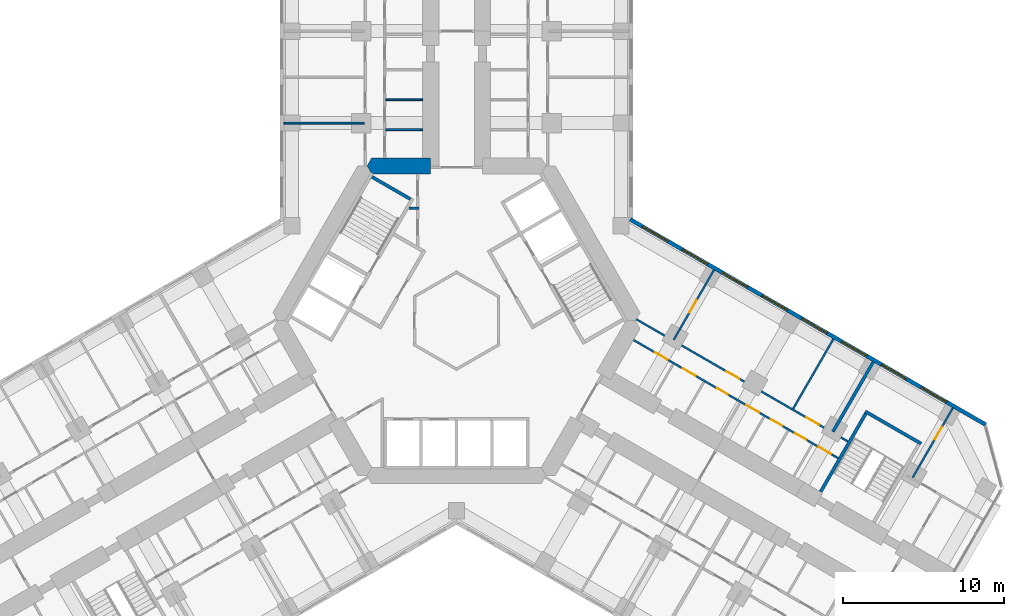
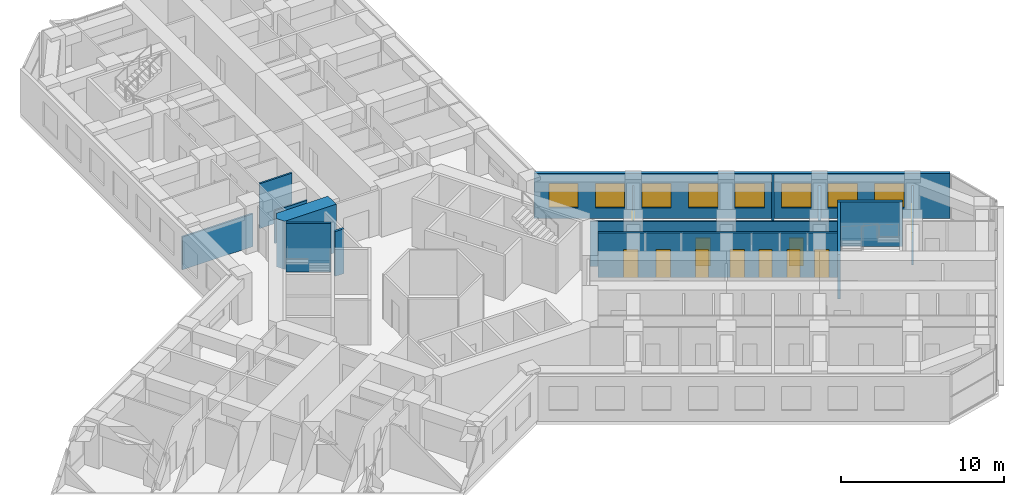
# One storey, part 16 of 21: 15 walls, 11 doors, 8 windows, 19 openings.
"""IFC4 building model written with IfcOpenShell, lengths in metres."""

from ifc_helpers import new_model, si_unit, direction, frame, frame_2d, origin, place, context, subcontext, project, spatial, polyline, rectangle, outline, extrude, material, layer, layer_set, type_object, element, fill, save


model = new_model("IFC4")

# Units and contexts
model_context = context("Model", 3, precision=1e-05, world=origin(), true_north=direction((0.0, 1.0)))
body_context = subcontext(model_context, "Body", "Model", "MODEL_VIEW")
ifc_project = project(units=[si_unit("LENGTHUNIT", "METRE"), si_unit("AREAUNIT", "SQUARE_METRE"), si_unit("VOLUMEUNIT", "CUBIC_METRE"), si_unit("PLANEANGLEUNIT", "RADIAN"), si_unit("MASSUNIT", "GRAM", prefix="KILO")], contexts=[model_context])

# Site, building, storey
site_placement = place(None, origin())
site = spatial("IfcSite", under=ifc_project, at=site_placement, CompositionType="ELEMENT")
building_placement = place(site_placement, origin())
building = spatial("IfcBuilding", under=site, at=building_placement, Name="Kosmar Iwan School Tower", CompositionType="ELEMENT")
storey_placement = place(building_placement, frame((0.0, 0.0, 53.800048828125)))
storey = spatial("IfcBuildingStorey", under=building, at=storey_placement, Name="L12", CompositionType="ELEMENT", Elevation=53.800048828125)

# Walls
ifc_material_1 = material(Name="Gypsum board on steel studs, fire-rated", Category="steel")
ifc_layer_1 = layer(ifc_material_1, 0.14990234375)
ifc_layer_set_1 = layer_set([ifc_layer_1], Name="Core room partition 150")
wall_type_1 = type_object("IfcWallType", Name="Core room partition 150", PredefinedType="PARTITIONING", material=ifc_layer_set_1)
wall_1_placement = place(storey_placement, frame((-2.324951171875, 6.985107421875, 0.0), z_axis=(0.0, 0.0, 1.0), x_axis=(-1.0, 0.0, 0.0)))
element("IfcWall", 1, at=wall_1_placement, inside=storey, type_object=wall_type_1, Name="Core room partition L12-CW2", PredefinedType="PARTITIONING", context=body_context, shape_type="SweptSolid", body=[
    extrude(rectangle(XDim=0.623779296875, YDim=0.14990234375, at=frame_2d((0.31201171875, 0.0))), origin(), (0.0, 0.0, 1.0), 3.349853515625),
])
ifc_material_2 = material(Name="Concrete C50/60", Category="concrete")
ifc_layer_2 = layer(ifc_material_2, 1.0)
ifc_layer_set_2 = layer_set([ifc_layer_2], Name="Core wall 1000")
wall_type_2 = type_object("IfcWallType", Name="Core wall 1000", PredefinedType="SHEAR", material=ifc_layer_set_2)
wall_2_placement = place(storey_placement, origin())
element("IfcWall", 2, at=wall_2_placement, inside=storey, type_object=wall_type_2, Name="Core wall F090b", PredefinedType="SHEAR", context=body_context, shape_type="SweptSolid", body=[
    extrude(outline(polyline([(-5.25390625, 9.10009765625), (-1.60009765625, 9.10009765625), (-1.60009765625, 10.10009765625), (-5.25390625, 10.10009765625), (-5.54248046875, 9.60009765625), (-5.25390625, 9.10009765625)])), origin(), (0.0, 0.0, 1.0), 3.599853515625),
])
ifc_material_3 = material(Name="Gypsum board on steel studs", Category="steel")
ifc_layer_3 = layer(ifc_material_3, 0.1201171875)
ifc_layer_set_3 = layer_set([ifc_layer_3], Name="Dwelling partition 120")
wall_type_3 = type_object("IfcWallType", Name="Dwelling partition 120", PredefinedType="PARTITIONING", material=ifc_layer_set_3)
wall_3_placement = place(storey_placement, frame((-5.7099609375, 12.25, 0.0), z_axis=(0.0, 0.0, 1.0), x_axis=(-1.0, 0.0, 0.0)))
element("IfcWall", 3, at=wall_3_placement, inside=storey, type_object=wall_type_3, Name="Partition L12-AL1-X1", PredefinedType="PARTITIONING", context=body_context, shape_type="SweptSolid", body=[
    extrude(rectangle(XDim=4.989990234375, YDim=0.1201171875, at=frame_2d((2.4951171875, 0.0))), origin(), (0.0, 0.0, 1.0), 2.449951171875),
])
wall_4_placement = place(storey_placement, frame((-2.10009765625, 11.85009765625, 0.0), z_axis=(0.0, 0.0, 1.0), x_axis=(-1.0, 0.0, 0.0)))
element("IfcWall", 4, at=wall_4_placement, inside=storey, type_object=wall_type_3, Name="Partition L12-AL1-Y1", PredefinedType="PARTITIONING", context=body_context, shape_type="SweptSolid", body=[
    extrude(rectangle(XDim=2.289794921875, YDim=0.1201171875, at=frame_2d((1.14501953125, 0.0))), origin(), (0.0, 0.0, 1.0), 2.449951171875),
])
wall_5_placement = place(storey_placement, frame((-2.10009765625, 13.699951171875, 0.0), z_axis=(0.0, 0.0, 1.0), x_axis=(-1.0, 0.0, 0.0)))
element("IfcWall", 5, at=wall_5_placement, inside=storey, type_object=wall_type_3, Name="Partition L12-AL1-Y2", PredefinedType="PARTITIONING", context=body_context, shape_type="SweptSolid", body=[
    extrude(rectangle(XDim=2.289794921875, YDim=0.1201171875, at=frame_2d((1.14501953125, 0.0))), origin(), (0.0, 0.0, 1.0), 3.349853515625),
])

# Wall, openings, doors
wall_6_placement = place(storey_placement, frame((10.971923828125, -1.1962890625, 0.0), z_axis=(0.0, 0.0, 1.0), x_axis=(0.866026568746, -0.499997982221, 0.0)))
wall_6 = element("IfcWall", 6, at=wall_6_placement, inside=storey, type_object=wall_type_3, Name="Partition L12-CL1-W1", PredefinedType="PARTITIONING", context=body_context, shape_type="SweptSolid", body=[
    extrude(rectangle(XDim=14.64990234375, YDim=0.1201171875, at=frame_2d((7.324951171875, 0.0))), origin(), (0.0, 0.0, 1.0), 3.349853515625),
])
opening_1_placement = place(wall_6_placement, frame((1.5400390625, 0.0, 0.0)))
opening_1 = element("IfcOpeningElement", 7, at=opening_1_placement, cuts=wall_6, Name="Opening D2", PredefinedType="OPENING", context=body_context, shape_type="SweptSolid", body=[
    extrude(rectangle(XDim=0.89990234375, YDim=2.10009765625, at=frame_2d((0.449951171875, 1.050048828125))), frame((0.0, 0.072021484375, 0.0), z_axis=(0.0, -1.0, 0.0), x_axis=(1.0, 0.0, 0.0)), (0.0, 0.0, 1.0), 0.14404296875),
])
opening_2_placement = place(wall_6_placement, frame((3.530029296875, 0.0, 0.0)))
opening_2 = element("IfcOpeningElement", 8, at=opening_2_placement, cuts=wall_6, Name="Opening D2", PredefinedType="OPENING", context=body_context, shape_type="SweptSolid", body=[
    extrude(rectangle(XDim=0.89990234375, YDim=2.10009765625, at=frame_2d((0.449951171875, 1.050048828125))), frame((0.0, 0.072021484375, 0.0), z_axis=(0.0, -1.0, 0.0), x_axis=(1.0, 0.0, 0.0)), (0.0, 0.0, 1.0), 0.14404296875),
])
opening_3_placement = place(wall_6_placement, frame((5.971435546875, 0.0, 0.0)))
opening_3 = element("IfcOpeningElement", 9, at=opening_3_placement, cuts=wall_6, Name="Opening D3", PredefinedType="OPENING", context=body_context, shape_type="SweptSolid", body=[
    extrude(rectangle(XDim=0.800048828125, YDim=2.10009765625, at=frame_2d((0.39990234375, 1.050048828125))), frame((0.0, 0.072021484375, 0.0), z_axis=(0.0, -1.0, 0.0), x_axis=(1.0, 0.0, 0.0)), (0.0, 0.0, 1.0), 0.14404296875),
])
opening_4_placement = place(wall_6_placement, frame((8.07373046875, 0.0, 0.0)))
opening_4 = element("IfcOpeningElement", 10, at=opening_4_placement, cuts=wall_6, Name="Opening D2", PredefinedType="OPENING", context=body_context, shape_type="SweptSolid", body=[
    extrude(rectangle(XDim=0.89990234375, YDim=2.10009765625, at=frame_2d((0.449951171875, 1.050048828125))), frame((0.0, 0.072021484375, 0.0), z_axis=(0.0, -1.0, 0.0), x_axis=(1.0, 0.0, 0.0)), (0.0, 0.0, 1.0), 0.14404296875),
])
opening_5_placement = place(wall_6_placement, frame((9.845458984375, 0.0, 0.0)))
opening_5 = element("IfcOpeningElement", 11, at=opening_5_placement, cuts=wall_6, Name="Opening D3", PredefinedType="OPENING", context=body_context, shape_type="SweptSolid", body=[
    extrude(rectangle(XDim=0.800048828125, YDim=2.10009765625, at=frame_2d((0.39990234375, 1.050048828125))), frame((0.0, 0.072021484375, 0.0), z_axis=(0.0, -1.0, 0.0), x_axis=(1.0, 0.0, 0.0)), (0.0, 0.0, 1.0), 0.14404296875),
])
opening_6_placement = place(wall_6_placement, frame((11.5673828125, 0.0, 0.0)))
opening_6 = element("IfcOpeningElement", 12, at=opening_6_placement, cuts=wall_6, Name="Opening D3", PredefinedType="OPENING", context=body_context, shape_type="SweptSolid", body=[
    extrude(rectangle(XDim=0.800048828125, YDim=2.10009765625, at=frame_2d((0.39990234375, 1.050048828125))), frame((0.0, 0.072021484375, 0.0), z_axis=(0.0, -1.0, 0.0), x_axis=(1.0, 0.0, 0.0)), (0.0, 0.0, 1.0), 0.14404296875),
])
opening_7_placement = place(wall_6_placement, frame((13.239013671875, 0.0, 0.0)))
opening_7 = element("IfcOpeningElement", 13, at=opening_7_placement, cuts=wall_6, Name="Opening D2", PredefinedType="OPENING", context=body_context, shape_type="SweptSolid", body=[
    extrude(rectangle(XDim=0.89990234375, YDim=2.10009765625, at=frame_2d((0.449951171875, 1.050048828125))), frame((0.0, 0.072021484375, 0.0), z_axis=(0.0, -1.0, 0.0), x_axis=(1.0, 0.0, 0.0)), (0.0, 0.0, 1.0), 0.14404296875),
])
ifc_material_4 = material(Name="Timber door in timber frame", Category="wood")
door_type_1 = type_object("IfcDoorType", Name="Internal door 900x2100", OperationType="SINGLE_SWING_LEFT", PredefinedType="DOOR", material=ifc_material_4)
door_1_placement = place(opening_1_placement, frame((0.89990234375, 0.0, 0.0), z_axis=(0.0, 0.0, 1.0), x_axis=(-1.0, 0.0, 0.0)))
door_1 = element("IfcDoor", 14, at=door_1_placement, inside=storey, type_object=door_type_1, Name="Utility room door L12-CL1-S1", OperationType="SINGLE_SWING_RIGHT", OverallHeight=2.10009765625, OverallWidth=0.89990234375, PredefinedType="DOOR", context=body_context, shape_type="SweptSolid", body=[
    extrude(rectangle(XDim=0.89990234375, YDim=2.10009765625, at=frame_2d((0.449951171875, 1.050048828125))), frame((0.0, 0.02490234375, 0.0), z_axis=(0.0, -1.0, 0.0), x_axis=(1.0, 0.0, 0.0)), (0.0, 0.0, 1.0), 0.050048828125),
])
fill(opening_1, door_1)
door_2_placement = place(opening_2_placement, origin())
door_2 = element("IfcDoor", 15, at=door_2_placement, inside=storey, type_object=door_type_1, Name="Entrance hall door L12-CL1-S2", OperationType="SINGLE_SWING_LEFT", OverallHeight=2.10009765625, OverallWidth=0.89990234375, PredefinedType="DOOR", context=body_context, shape_type="SweptSolid", body=[
    extrude(rectangle(XDim=0.89990234375, YDim=2.10009765625, at=frame_2d((0.449951171875, 1.050048828125))), frame((0.0, 0.02490234375, 0.0), z_axis=(0.0, -1.0, 0.0), x_axis=(1.0, 0.0, 0.0)), (0.0, 0.0, 1.0), 0.050048828125),
])
fill(opening_2, door_2)
door_3_placement = place(opening_4_placement, origin())
door_3 = element("IfcDoor", 16, at=door_3_placement, inside=storey, type_object=door_type_1, Name="Pantry door L12-CL1-S4", OperationType="SINGLE_SWING_RIGHT", OverallHeight=2.10009765625, OverallWidth=0.89990234375, PredefinedType="DOOR", context=body_context, shape_type="SweptSolid", body=[
    extrude(rectangle(XDim=0.89990234375, YDim=2.10009765625, at=frame_2d((0.449951171875, 1.050048828125))), frame((0.0, 0.02490234375, 0.0), z_axis=(0.0, -1.0, 0.0), x_axis=(1.0, 0.0, 0.0)), (0.0, 0.0, 1.0), 0.050048828125),
])
fill(opening_4, door_3)
door_4_placement = place(opening_7_placement, frame((0.89990234375, 0.0, 0.0), z_axis=(0.0, 0.0, 1.0), x_axis=(-1.0, 0.0, 0.0)))
door_4 = element("IfcDoor", 17, at=door_4_placement, inside=storey, type_object=door_type_1, Name="Dressing room door L12-CL1-S7", OperationType="SINGLE_SWING_LEFT", OverallHeight=2.10009765625, OverallWidth=0.89990234375, PredefinedType="DOOR", context=body_context, shape_type="SweptSolid", body=[
    extrude(rectangle(XDim=0.89990234375, YDim=2.10009765625, at=frame_2d((0.449951171875, 1.050048828125))), frame((0.0, 0.02490234375, 0.0), z_axis=(0.0, -1.0, 0.0), x_axis=(1.0, 0.0, 0.0)), (0.0, 0.0, 1.0), 0.050048828125),
])
fill(opening_7, door_4)
ifc_material_5 = material(Name="Timber door in timber frame", Category="wood")
door_type_2 = type_object("IfcDoorType", Name="Sanitary room door 800x2100", OperationType="SINGLE_SWING_LEFT", PredefinedType="DOOR", material=ifc_material_5)
door_5_placement = place(opening_3_placement, origin())
door_5 = element("IfcDoor", 18, at=door_5_placement, inside=storey, type_object=door_type_2, Name="Bathroom door L12-CL1-S3", OperationType="SINGLE_SWING_LEFT", OverallHeight=2.10009765625, OverallWidth=0.800048828125, PredefinedType="DOOR", context=body_context, shape_type="SweptSolid", body=[
    extrude(rectangle(XDim=0.800048828125, YDim=2.10009765625, at=frame_2d((0.39990234375, 1.050048828125))), frame((0.0, 0.02490234375, 0.0), z_axis=(0.0, -1.0, 0.0), x_axis=(1.0, 0.0, 0.0)), (0.0, 0.0, 1.0), 0.050048828125),
])
fill(opening_3, door_5)
door_6_placement = place(opening_5_placement, origin())
door_6 = element("IfcDoor", 19, at=door_6_placement, inside=storey, type_object=door_type_2, Name="WC door L12-CL1-S5", OperationType="SINGLE_SWING_RIGHT", OverallHeight=2.10009765625, OverallWidth=0.800048828125, PredefinedType="DOOR", context=body_context, shape_type="SweptSolid", body=[
    extrude(rectangle(XDim=0.800048828125, YDim=2.10009765625, at=frame_2d((0.39990234375, 1.050048828125))), frame((0.0, 0.02490234375, 0.0), z_axis=(0.0, -1.0, 0.0), x_axis=(1.0, 0.0, 0.0)), (0.0, 0.0, 1.0), 0.050048828125),
])
fill(opening_5, door_6)
door_7_placement = place(opening_6_placement, origin())
door_7 = element("IfcDoor", 20, at=door_7_placement, inside=storey, type_object=door_type_2, Name="Store door L12-CL1-S6", OperationType="SINGLE_SWING_RIGHT", OverallHeight=2.10009765625, OverallWidth=0.800048828125, PredefinedType="DOOR", context=body_context, shape_type="SweptSolid", body=[
    extrude(rectangle(XDim=0.800048828125, YDim=2.10009765625, at=frame_2d((0.39990234375, 1.050048828125))), frame((0.0, 0.02490234375, 0.0), z_axis=(0.0, -1.0, 0.0), x_axis=(1.0, 0.0, 0.0)), (0.0, 0.0, 1.0), 0.050048828125),
])
fill(opening_6, door_7)

wall_7_placement = place(storey_placement, frame((11.138916015625, 0.093017578125, 0.0), z_axis=(0.0, 0.0, 1.0), x_axis=(0.866024032363, -0.500002375365, 0.0)))
wall_7 = element("IfcWall", 21, at=wall_7_placement, inside=storey, type_object=wall_type_3, Name="Partition L12-CL1-W2", PredefinedType="PARTITIONING", context=body_context, shape_type="SweptSolid", body=[
    extrude(rectangle(XDim=15.14990234375, YDim=0.1201171875, at=frame_2d((7.574951171875, 0.0))), origin(), (0.0, 0.0, 1.0), 3.349853515625),
])
opening_8_placement = place(wall_7_placement, frame((6.47509765625, 0.0, 0.0)))
opening_8 = element("IfcOpeningElement", 22, at=opening_8_placement, cuts=wall_7, Name="Opening D2", PredefinedType="OPENING", context=body_context, shape_type="SweptSolid", body=[
    extrude(rectangle(XDim=0.89990234375, YDim=2.10009765625, at=frame_2d((0.449951171875, 1.050048828125))), frame((0.0, 0.072021484375, 0.0), z_axis=(0.0, -1.0, 0.0), x_axis=(1.0, 0.0, 0.0)), (0.0, 0.0, 1.0), 0.14404296875),
])
opening_9_placement = place(wall_7_placement, frame((12.175048828125, 0.0, 0.0)))
opening_9 = element("IfcOpeningElement", 23, at=opening_9_placement, cuts=wall_7, Name="Opening D2", PredefinedType="OPENING", context=body_context, shape_type="SweptSolid", body=[
    extrude(rectangle(XDim=0.89990234375, YDim=2.10009765625, at=frame_2d((0.449951171875, 1.050048828125))), frame((0.0, 0.072021484375, 0.0), z_axis=(0.0, -1.0, 0.0), x_axis=(1.0, 0.0, 0.0)), (0.0, 0.0, 1.0), 0.14404296875),
])
door_8_placement = place(opening_8_placement, origin())
door_8 = element("IfcDoor", 24, at=door_8_placement, inside=storey, type_object=door_type_1, Name="Living room door L12-CL1-F2", OperationType="SINGLE_SWING_RIGHT", OverallHeight=2.10009765625, OverallWidth=0.89990234375, PredefinedType="DOOR", context=body_context, shape_type="SweptSolid", body=[
    extrude(rectangle(XDim=0.89990234375, YDim=2.10009765625, at=frame_2d((0.449951171875, 1.050048828125))), frame((0.0, 0.02490234375, 0.0), z_axis=(0.0, -1.0, 0.0), x_axis=(1.0, 0.0, 0.0)), (0.0, 0.0, 1.0), 0.050048828125),
])
fill(opening_8, door_8)
door_9_placement = place(opening_9_placement, origin())
door_9 = element("IfcDoor", 25, at=door_9_placement, inside=storey, type_object=door_type_1, Name="Bedroom 1 door L12-CL1-F3", OperationType="SINGLE_SWING_LEFT", OverallHeight=2.10009765625, OverallWidth=0.89990234375, PredefinedType="DOOR", context=body_context, shape_type="SweptSolid", body=[
    extrude(rectangle(XDim=0.89990234375, YDim=2.10009765625, at=frame_2d((0.449951171875, 1.050048828125))), frame((0.0, 0.02490234375, 0.0), z_axis=(0.0, -1.0, 0.0), x_axis=(1.0, 0.0, 0.0)), (0.0, 0.0, 1.0), 0.050048828125),
])
fill(opening_9, door_9)

# Wall, opening, door
wall_8_placement = place(storey_placement, frame((13.4638671875, -1.179931640625, 0.0), z_axis=(0.0, 0.0, 1.0), x_axis=(0.499996339024, 0.86602751744, 0.0)))
wall_8 = element("IfcWall", 26, at=wall_8_placement, inside=storey, type_object=wall_type_3, Name="Partition L12-CL1-X1", PredefinedType="PARTITIONING", context=body_context, shape_type="SweptSolid", body=[
    extrude(rectangle(XDim=4.98974609375, YDim=0.1201171875, at=frame_2d((2.494873046875, 0.0))), origin(), (0.0, 0.0, 1.0), 2.449951171875),
])
opening_10_placement = place(wall_8_placement, frame((1.93994140625, 0.0, 0.0)))
opening_10 = element("IfcOpeningElement", 27, at=opening_10_placement, cuts=wall_8, Name="Opening D2", PredefinedType="OPENING", context=body_context, shape_type="SweptSolid", body=[
    extrude(rectangle(XDim=0.89990234375, YDim=2.10009765625, at=frame_2d((0.449951171875, 1.050048828125))), frame((0.0, 0.072021484375, 0.0), z_axis=(0.0, -1.0, 0.0), x_axis=(1.0, 0.0, 0.0)), (0.0, 0.0, 1.0), 0.14404296875),
])
door_10_placement = place(opening_10_placement, origin())
door_10 = element("IfcDoor", 28, at=door_10_placement, inside=storey, type_object=door_type_1, Name="Kitchen and dining room door L12-CL1-F1", OperationType="SINGLE_SWING_LEFT", OverallHeight=2.10009765625, OverallWidth=0.89990234375, PredefinedType="DOOR", context=body_context, shape_type="SweptSolid", body=[
    extrude(rectangle(XDim=0.89990234375, YDim=2.10009765625, at=frame_2d((0.449951171875, 1.050048828125))), frame((0.0, 0.02490234375, 0.0), z_axis=(0.0, -1.0, 0.0), x_axis=(1.0, 0.0, 0.0)), (0.0, 0.0, 1.0), 0.050048828125),
])
fill(opening_10, door_10)

# Wall
wall_9_placement = place(storey_placement, frame((20.868408203125, -5.455078125, 0.0), z_axis=(0.0, 0.0, 1.0), x_axis=(0.499975153383, 0.86603974851, 0.0)))
element("IfcWall", 29, at=wall_9_placement, inside=storey, type_object=wall_type_3, Name="Partition L12-CL1-X2", PredefinedType="PARTITIONING", context=body_context, shape_type="SweptSolid", body=[
    extrude(rectangle(XDim=4.989990234375, YDim=0.1201171875, at=frame_2d((2.4951171875, 0.0))), origin(), (0.0, 0.0, 1.0), 3.349853515625),
])

# Wall, opening, door
wall_10_placement = place(storey_placement, frame((28.27294921875, -9.72998046875, 0.0), z_axis=(0.0, 0.0, 1.0), x_axis=(0.499975153383, 0.86603974851, 0.0)))
wall_10 = element("IfcWall", 30, at=wall_10_placement, inside=storey, type_object=wall_type_3, Name="Partition L12-CL2-TX", PredefinedType="PARTITIONING", context=body_context, shape_type="SweptSolid", body=[
    extrude(rectangle(XDim=4.989990234375, YDim=0.1201171875, at=frame_2d((2.4951171875, 0.0))), origin(), (0.0, 0.0, 1.0), 2.449951171875),
])
opening_11_placement = place(wall_10_placement, frame((2.739990234375, 0.0, 0.0)))
opening_11 = element("IfcOpeningElement", 31, at=opening_11_placement, cuts=wall_10, Name="Opening D2", PredefinedType="OPENING", context=body_context, shape_type="SweptSolid", body=[
    extrude(rectangle(XDim=0.89990234375, YDim=2.10009765625, at=frame_2d((0.449951171875, 1.050048828125))), frame((0.0, 0.072021484375, 0.0), z_axis=(0.0, -1.0, 0.0), x_axis=(1.0, 0.0, 0.0)), (0.0, 0.0, 1.0), 0.14404296875),
])
door_11_placement = place(opening_11_placement, origin())
door_11 = element("IfcDoor", 32, at=door_11_placement, inside=storey, type_object=door_type_1, Name="Bedroom 1 door L12-CL2-T1", OperationType="SINGLE_SWING_RIGHT", OverallHeight=2.10009765625, OverallWidth=0.89990234375, PredefinedType="DOOR", context=body_context, shape_type="SweptSolid", body=[
    extrude(rectangle(XDim=0.89990234375, YDim=2.10009765625, at=frame_2d((0.449951171875, 1.050048828125))), frame((0.0, 0.02490234375, 0.0), z_axis=(0.0, -1.0, 0.0), x_axis=(1.0, 0.0, 0.0)), (0.0, 0.0, 1.0), 0.050048828125),
])
fill(opening_11, door_11)

# Walls
ifc_material_6 = material(Name="Concrete C35/45", Category="concrete")
ifc_layer_4 = layer(ifc_material_6, 0.199951171875)
ifc_layer_set_4 = layer_set([ifc_layer_4], Name="Escape stair wall 200")
wall_type_4 = type_object("IfcWallType", Name="Escape stair wall 200", PredefinedType="SHEAR", material=ifc_layer_set_4)
wall_11_placement = place(storey_placement, frame((22.57080078125, -10.6064453125, 0.0), z_axis=(0.0, 0.0, 1.0), x_axis=(0.499987231761, 0.866032775405, 0.0)))
element("IfcWall", 33, at=wall_11_placement, inside=storey, type_object=wall_type_4, Name="Stair WS3 wall", PredefinedType="SHEAR", context=body_context, shape_type="SweptSolid", body=[
    extrude(rectangle(XDim=5.800048828125, YDim=0.199951171875, at=frame_2d((2.89990234375, 0.0))), origin(), (0.0, 0.0, 1.0), 3.329833984375),
])
wall_12_placement = place(storey_placement, frame((25.334228515625, -5.6201171875, 0.0), z_axis=(0.0, 0.0, 1.0), x_axis=(0.866026010844, -0.49999894854, 0.0)))
element("IfcWall", 34, at=wall_12_placement, inside=storey, type_object=wall_type_4, Name="Stair WS3 wall", PredefinedType="SHEAR", context=body_context, shape_type="SweptSolid", body=[
    extrude(rectangle(XDim=4.0, YDim=0.199951171875, at=frame_2d((2.0, 0.0))), origin(), (0.0, 0.0, 1.0), 3.329833984375),
])

# Wall, openings, windows
ifc_material_7 = material(Name="Black aluminium rainscreen on insulated framing", Category="aluminium")
ifc_layer_5 = layer(ifc_material_7, 0.25)
ifc_layer_set_5 = layer_set([ifc_layer_5], Name="External wall rainscreen 250")
wall_type_5 = type_object("IfcWallType", Name="External wall rainscreen 250", PredefinedType="SOLIDWALL", material=ifc_layer_set_5)
wall_13_placement = place(storey_placement, frame((10.762451171875, 6.285888671875, 0.0), z_axis=(0.0, 0.0, 1.0), x_axis=(0.866027962024, -0.499995568972, 0.0)))
wall_13 = element("IfcWall", 35, at=wall_13_placement, inside=storey, type_object=wall_type_5, Name="External wall CL L12", PredefinedType="SOLIDWALL", context=body_context, shape_type="SweptSolid", body=[
    extrude(rectangle(XDim=25.457763671875, YDim=0.25, at=frame_2d((12.72900390625, 0.0))), origin(), (0.0, 0.0, 1.0), 3.349853515625),
])
opening_12_placement = place(wall_13_placement, frame((0.8974609375, 0.0, 0.800048828125)))
opening_12 = element("IfcOpeningElement", 36, at=opening_12_placement, cuts=wall_13, Name="Opening W1", PredefinedType="OPENING", context=body_context, shape_type="SweptSolid", body=[
    extrude(rectangle(XDim=1.800048828125, YDim=1.800048828125, at=frame_2d((0.89990234375, 0.89990234375))), frame((0.0, 0.136962890625, 0.0), z_axis=(0.0, -1.0, 0.0), x_axis=(1.0, 0.0, 0.0)), (0.0, 0.0, 1.0), 0.27392578125),
])
opening_13_placement = place(wall_13_placement, frame((3.747314453125, 0.0, 0.800048828125)))
opening_13 = element("IfcOpeningElement", 37, at=opening_13_placement, cuts=wall_13, Name="Opening W1", PredefinedType="OPENING", context=body_context, shape_type="SweptSolid", body=[
    extrude(rectangle(XDim=1.800048828125, YDim=1.800048828125, at=frame_2d((0.89990234375, 0.89990234375))), frame((0.0, 0.136962890625, 0.0), z_axis=(0.0, -1.0, 0.0), x_axis=(1.0, 0.0, 0.0)), (0.0, 0.0, 1.0), 0.27392578125),
])
opening_14_placement = place(wall_13_placement, frame((6.597412109375, 0.0, 0.800048828125)))
opening_14 = element("IfcOpeningElement", 38, at=opening_14_placement, cuts=wall_13, Name="Opening W1", PredefinedType="OPENING", context=body_context, shape_type="SweptSolid", body=[
    extrude(rectangle(XDim=1.800048828125, YDim=1.800048828125, at=frame_2d((0.89990234375, 0.89990234375))), frame((0.0, 0.136962890625, 0.0), z_axis=(0.0, -1.0, 0.0), x_axis=(1.0, 0.0, 0.0)), (0.0, 0.0, 1.0), 0.27392578125),
])
opening_15_placement = place(wall_13_placement, frame((9.447265625, 0.0, 0.800048828125)))
opening_15 = element("IfcOpeningElement", 39, at=opening_15_placement, cuts=wall_13, Name="Opening W1", PredefinedType="OPENING", context=body_context, shape_type="SweptSolid", body=[
    extrude(rectangle(XDim=1.800048828125, YDim=1.800048828125, at=frame_2d((0.89990234375, 0.89990234375))), frame((0.0, 0.136962890625, 0.0), z_axis=(0.0, -1.0, 0.0), x_axis=(1.0, 0.0, 0.0)), (0.0, 0.0, 1.0), 0.27392578125),
])
opening_16_placement = place(wall_13_placement, frame((12.29736328125, 0.0, 0.800048828125)))
opening_16 = element("IfcOpeningElement", 40, at=opening_16_placement, cuts=wall_13, Name="Opening W1", PredefinedType="OPENING", context=body_context, shape_type="SweptSolid", body=[
    extrude(rectangle(XDim=1.800048828125, YDim=1.800048828125, at=frame_2d((0.89990234375, 0.89990234375))), frame((0.0, 0.136962890625, 0.0), z_axis=(0.0, -1.0, 0.0), x_axis=(1.0, 0.0, 0.0)), (0.0, 0.0, 1.0), 0.27392578125),
])
opening_17_placement = place(wall_13_placement, frame((15.1474609375, 0.0, 0.800048828125)))
opening_17 = element("IfcOpeningElement", 41, at=opening_17_placement, cuts=wall_13, Name="Opening W1", PredefinedType="OPENING", context=body_context, shape_type="SweptSolid", body=[
    extrude(rectangle(XDim=1.800048828125, YDim=1.800048828125, at=frame_2d((0.89990234375, 0.89990234375))), frame((0.0, 0.136962890625, 0.0), z_axis=(0.0, -1.0, 0.0), x_axis=(1.0, 0.0, 0.0)), (0.0, 0.0, 1.0), 0.27392578125),
])
opening_18_placement = place(wall_13_placement, frame((17.997314453125, 0.0, 0.800048828125)))
opening_18 = element("IfcOpeningElement", 42, at=opening_18_placement, cuts=wall_13, Name="Opening W1", PredefinedType="OPENING", context=body_context, shape_type="SweptSolid", body=[
    extrude(rectangle(XDim=1.800048828125, YDim=1.800048828125, at=frame_2d((0.89990234375, 0.89990234375))), frame((0.0, 0.136962890625, 0.0), z_axis=(0.0, -1.0, 0.0), x_axis=(1.0, 0.0, 0.0)), (0.0, 0.0, 1.0), 0.27392578125),
])
opening_19_placement = place(wall_13_placement, frame((20.847412109375, 0.0, 0.800048828125)))
opening_19 = element("IfcOpeningElement", 43, at=opening_19_placement, cuts=wall_13, Name="Opening W1", PredefinedType="OPENING", context=body_context, shape_type="SweptSolid", body=[
    extrude(rectangle(XDim=1.800048828125, YDim=1.800048828125, at=frame_2d((0.89990234375, 0.89990234375))), frame((0.0, 0.136962890625, 0.0), z_axis=(0.0, -1.0, 0.0), x_axis=(1.0, 0.0, 0.0)), (0.0, 0.0, 1.0), 0.27392578125),
])
ifc_material_8 = material(Name="Black aluminium frame with dark triple glazing", Category="aluminium")
window_type = type_object("IfcWindowType", Name="Window 1800x1800", PartitioningType="SINGLE_PANEL", PredefinedType="WINDOW", material=ifc_material_8)
window_1_placement = place(opening_12_placement, origin())
window_1 = element("IfcWindow", 44, at=window_1_placement, inside=storey, type_object=window_type, Name="Window CL L12 -1", OverallHeight=1.800048828125, OverallWidth=1.800048828125, PartitioningType="SINGLE_PANEL", PredefinedType="WINDOW", context=body_context, shape_type="SweptSolid", body=[
    extrude(rectangle(XDim=1.800048828125, YDim=1.800048828125, at=frame_2d((0.89990234375, 0.89990234375))), frame((0.0, 0.030029296875, 0.0), z_axis=(0.0, -1.0, 0.0), x_axis=(1.0, 0.0, 0.0)), (0.0, 0.0, 1.0), 0.06005859375),
])
fill(opening_12, window_1)
window_2_placement = place(opening_13_placement, origin())
window_2 = element("IfcWindow", 45, at=window_2_placement, inside=storey, type_object=window_type, Name="Window CL L12 0", OverallHeight=1.800048828125, OverallWidth=1.800048828125, PartitioningType="SINGLE_PANEL", PredefinedType="WINDOW", context=body_context, shape_type="SweptSolid", body=[
    extrude(rectangle(XDim=1.800048828125, YDim=1.800048828125, at=frame_2d((0.89990234375, 0.89990234375))), frame((0.0, 0.030029296875, 0.0), z_axis=(0.0, -1.0, 0.0), x_axis=(1.0, 0.0, 0.0)), (0.0, 0.0, 1.0), 0.06005859375),
])
fill(opening_13, window_2)
window_3_placement = place(opening_14_placement, origin())
window_3 = element("IfcWindow", 46, at=window_3_placement, inside=storey, type_object=window_type, Name="Window CL L12 1", OverallHeight=1.800048828125, OverallWidth=1.800048828125, PartitioningType="SINGLE_PANEL", PredefinedType="WINDOW", context=body_context, shape_type="SweptSolid", body=[
    extrude(rectangle(XDim=1.800048828125, YDim=1.800048828125, at=frame_2d((0.89990234375, 0.89990234375))), frame((0.0, 0.030029296875, 0.0), z_axis=(0.0, -1.0, 0.0), x_axis=(1.0, 0.0, 0.0)), (0.0, 0.0, 1.0), 0.06005859375),
])
fill(opening_14, window_3)
window_4_placement = place(opening_15_placement, origin())
window_4 = element("IfcWindow", 47, at=window_4_placement, inside=storey, type_object=window_type, Name="Window CL L12 2", OverallHeight=1.800048828125, OverallWidth=1.800048828125, PartitioningType="SINGLE_PANEL", PredefinedType="WINDOW", context=body_context, shape_type="SweptSolid", body=[
    extrude(rectangle(XDim=1.800048828125, YDim=1.800048828125, at=frame_2d((0.89990234375, 0.89990234375))), frame((0.0, 0.030029296875, 0.0), z_axis=(0.0, -1.0, 0.0), x_axis=(1.0, 0.0, 0.0)), (0.0, 0.0, 1.0), 0.06005859375),
])
fill(opening_15, window_4)
window_5_placement = place(opening_16_placement, origin())
window_5 = element("IfcWindow", 48, at=window_5_placement, inside=storey, type_object=window_type, Name="Window CL L12 3", OverallHeight=1.800048828125, OverallWidth=1.800048828125, PartitioningType="SINGLE_PANEL", PredefinedType="WINDOW", context=body_context, shape_type="SweptSolid", body=[
    extrude(rectangle(XDim=1.800048828125, YDim=1.800048828125, at=frame_2d((0.89990234375, 0.89990234375))), frame((0.0, 0.030029296875, 0.0), z_axis=(0.0, -1.0, 0.0), x_axis=(1.0, 0.0, 0.0)), (0.0, 0.0, 1.0), 0.06005859375),
])
fill(opening_16, window_5)
window_6_placement = place(opening_17_placement, origin())
window_6 = element("IfcWindow", 49, at=window_6_placement, inside=storey, type_object=window_type, Name="Window CL L12 4", OverallHeight=1.800048828125, OverallWidth=1.800048828125, PartitioningType="SINGLE_PANEL", PredefinedType="WINDOW", context=body_context, shape_type="SweptSolid", body=[
    extrude(rectangle(XDim=1.800048828125, YDim=1.800048828125, at=frame_2d((0.89990234375, 0.89990234375))), frame((0.0, 0.030029296875, 0.0), z_axis=(0.0, -1.0, 0.0), x_axis=(1.0, 0.0, 0.0)), (0.0, 0.0, 1.0), 0.06005859375),
])
fill(opening_17, window_6)
window_7_placement = place(opening_18_placement, origin())
window_7 = element("IfcWindow", 50, at=window_7_placement, inside=storey, type_object=window_type, Name="Window CL L12 5", OverallHeight=1.800048828125, OverallWidth=1.800048828125, PartitioningType="SINGLE_PANEL", PredefinedType="WINDOW", context=body_context, shape_type="SweptSolid", body=[
    extrude(rectangle(XDim=1.800048828125, YDim=1.800048828125, at=frame_2d((0.89990234375, 0.89990234375))), frame((0.0, 0.030029296875, 0.0), z_axis=(0.0, -1.0, 0.0), x_axis=(1.0, 0.0, 0.0)), (0.0, 0.0, 1.0), 0.06005859375),
])
fill(opening_18, window_7)
window_8_placement = place(opening_19_placement, origin())
window_8 = element("IfcWindow", 51, at=window_8_placement, inside=storey, type_object=window_type, Name="Window CL L12 6", OverallHeight=1.800048828125, OverallWidth=1.800048828125, PartitioningType="SINGLE_PANEL", PredefinedType="WINDOW", context=body_context, shape_type="SweptSolid", body=[
    extrude(rectangle(XDim=1.800048828125, YDim=1.800048828125, at=frame_2d((0.89990234375, 0.89990234375))), frame((0.0, 0.030029296875, 0.0), z_axis=(0.0, -1.0, 0.0), x_axis=(1.0, 0.0, 0.0)), (0.0, 0.0, 1.0), 0.06005859375),
])
fill(opening_19, window_8)

# Walls
ifc_material_9 = material(Name="Concrete block masonry", Category="masonry")
ifc_layer_6 = layer(ifc_material_9, 0.199951171875)
ifc_layer_set_6 = layer_set([ifc_layer_6], Name="Party wall 200")
wall_type_6 = type_object("IfcWallType", Name="Party wall 200", PredefinedType="PARTITIONING", material=ifc_layer_set_6)
wall_14_placement = place(storey_placement, frame((23.33642578125, -6.8798828125, 0.0), z_axis=(0.0, 0.0, 1.0), x_axis=(0.500033033937, 0.866006330792, 0.0)))
element("IfcWall", 52, at=wall_14_placement, inside=storey, type_object=wall_type_6, Name="Partition L12-CL2-TB", PredefinedType="PARTITIONING", context=body_context, shape_type="SweptSolid", body=[
    extrude(rectangle(XDim=4.989990234375, YDim=0.199951171875, at=frame_2d((2.4951171875, 0.0))), origin(), (0.0, 0.0, 1.0), 2.449951171875),
])
ifc_material_10 = material(Name="Concrete C50/60", Category="concrete")
ifc_layer_7 = layer(ifc_material_10, 0.199951171875)
ifc_layer_set_7 = layer_set([ifc_layer_7], Name="Stair enclosure wall 200")
wall_type_7 = type_object("IfcWallType", Name="Stair enclosure wall 200", PredefinedType="SHEAR", material=ifc_layer_set_7)
wall_15_placement = place(storey_placement, frame((-2.862548828125, 7.541748046875, 0.0), z_axis=(0.0, 0.0, 1.0), x_axis=(-0.866027397988, 0.499996545922, 0.0)))
element("IfcWall", 53, at=wall_15_placement, inside=storey, type_object=wall_type_7, Name="Stair ST2 wall", PredefinedType="SHEAR", context=body_context, shape_type="SweptSolid", body=[
    extrude(rectangle(XDim=2.75, YDim=0.199951171875, at=frame_2d((1.375, 0.0))), origin(), (0.0, 0.0, 1.0), 3.599853515625),
])

save(model, "model.ifc")
